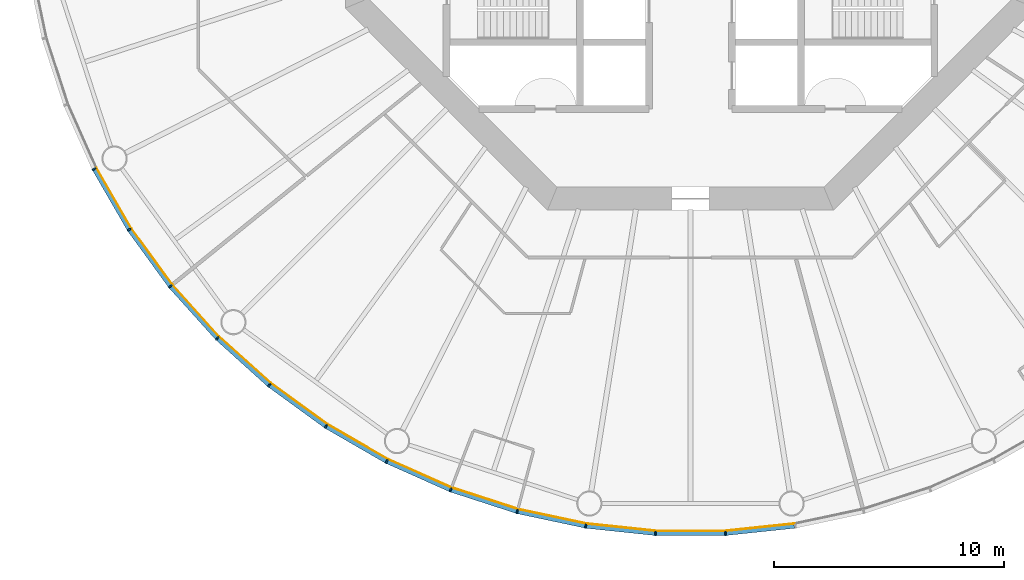
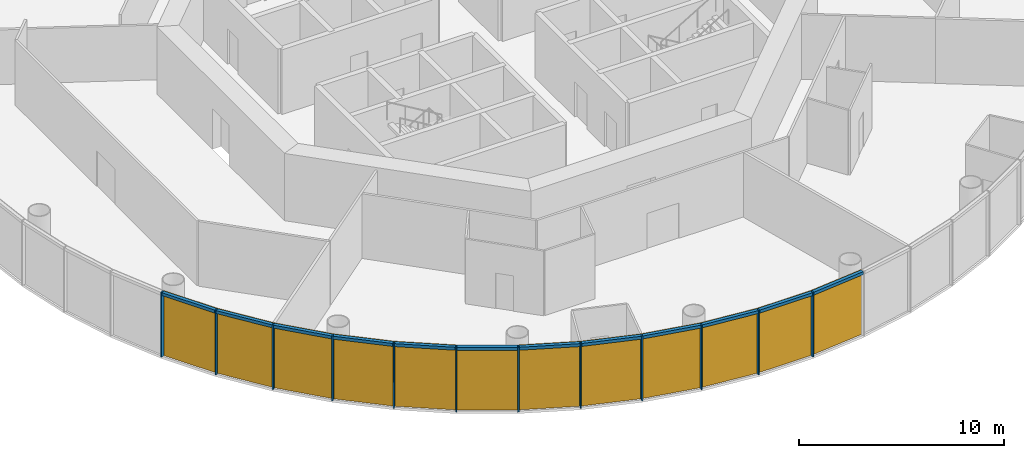
# One storey, part 7 of 13: 24 members, 4 curtain walls.
"""IFC4 building model written with IfcOpenShell, lengths in metres."""

from ifc_helpers import new_model, si_unit, direction, frame, origin, origin_2d, place, context, subcontext, project, spatial, polyline, rectangle, outline, extrude, material, layer, layer_set, material_profile, profile_set, type_object, element, aggregate, save


model = new_model("IFC4")

# Units and contexts
model_context = context("Model", 3, precision=1e-05, world=origin(), true_north=direction((0.0, 1.0)))
body_context = subcontext(model_context, "Body", "Model", "MODEL_VIEW")
ifc_project = project(units=[si_unit("LENGTHUNIT", "METRE"), si_unit("AREAUNIT", "SQUARE_METRE"), si_unit("VOLUMEUNIT", "CUBIC_METRE"), si_unit("PLANEANGLEUNIT", "RADIAN"), si_unit("MASSUNIT", "GRAM", prefix="KILO")], contexts=[model_context])

# Member
ifc_material_1 = material(Name="Anodised aluminium", Category="aluminium")
ifc_material_profile_1 = material_profile(ifc_material_1, rectangle(XDim=0.06494140625, YDim=0.18505859375, at=origin_2d()), Name="Mullion 65 x 185 mm anodised aluminium")
ifc_profile_set_1 = profile_set([ifc_material_profile_1], Name="Anodised aluminium")
member_type_1 = type_object("IfcMemberType", Name="Mullion 65 x 185 mm anodised aluminium", PredefinedType="MULLION", material=ifc_profile_set_1)
site_placement = place(None, origin())
building_placement = place(site_placement, origin())
storey_placement = place(building_placement, frame((0.0, 0.0, 172.0)))
member_1_placement = place(storey_placement, frame((64.078369140625, 66.792236328125, 0.0), z_axis=(0.0, 0.0, 1.0), x_axis=(0.45399049974, -0.891006524188, 0.0)))
member_1 = element("IfcMember", 1, at=member_1_placement, type_object=member_type_1, Name="MULLION L39-33", PredefinedType="MULLION", context=body_context, shape_type="SweptSolid", body=[
    extrude(rectangle(XDim=0.06494140625, YDim=0.18505859375, at=origin_2d()), origin(), (0.0, 0.0, 1.0), 3.85009765625),
])

member_2_placement = place(storey_placement, frame((65.60107421875, 64.155029296875, 0.0), z_axis=(0.0, 0.0, 1.0), x_axis=(0.544639035015, -0.838670567945, 0.0)))
member_2 = element("IfcMember", 2, at=member_2_placement, type_object=member_type_1, Name="MULLION L39-34", PredefinedType="MULLION", context=body_context, shape_type="SweptSolid", body=[
    extrude(rectangle(XDim=0.06494140625, YDim=0.18505859375, at=origin_2d()), origin(), (0.0, 0.0, 1.0), 3.85009765625),
])

member_3_placement = place(storey_placement, frame((67.390869140625, 61.69140625, 0.0), z_axis=(0.0, 0.0, 1.0), x_axis=(0.62932039105, -0.777145961457, 0.0)))
member_3 = element("IfcMember", 3, at=member_3_placement, type_object=member_type_1, Name="MULLION L39-35", PredefinedType="MULLION", context=body_context, shape_type="SweptSolid", body=[
    extrude(rectangle(XDim=0.06494140625, YDim=0.18505859375, at=origin_2d()), origin(), (0.0, 0.0, 1.0), 3.85009765625),
])

member_4_placement = place(storey_placement, frame((69.428466796875, 59.428466796875, 0.0), z_axis=(0.0, 0.0, 1.0), x_axis=(0.707106781187, -0.707106781187, 0.0)))
member_4 = element("IfcMember", 4, at=member_4_placement, type_object=member_type_1, Name="MULLION L39-36", PredefinedType="MULLION", context=body_context, shape_type="SweptSolid", body=[
    extrude(rectangle(XDim=0.06494140625, YDim=0.18505859375, at=origin_2d()), origin(), (0.0, 0.0, 1.0), 3.85009765625),
])

member_5_placement = place(storey_placement, frame((71.69140625, 57.390869140625, 0.0), z_axis=(0.0, 0.0, 1.0), x_axis=(0.777145961457, -0.62932039105, 0.0)))
member_5 = element("IfcMember", 5, at=member_5_placement, type_object=member_type_1, Name="MULLION L39-37", PredefinedType="MULLION", context=body_context, shape_type="SweptSolid", body=[
    extrude(rectangle(XDim=0.06494140625, YDim=0.18505859375, at=origin_2d()), origin(), (0.0, 0.0, 1.0), 3.85009765625),
])

member_6_placement = place(storey_placement, frame((74.155029296875, 55.60107421875, 0.0), z_axis=(0.0, 0.0, 1.0), x_axis=(0.838670567945, -0.544639035015, 0.0)))
member_6 = element("IfcMember", 6, at=member_6_placement, type_object=member_type_1, Name="MULLION L39-38", PredefinedType="MULLION", context=body_context, shape_type="SweptSolid", body=[
    extrude(rectangle(XDim=0.06494140625, YDim=0.18505859375, at=origin_2d()), origin(), (0.0, 0.0, 1.0), 3.85009765625),
])

member_7_placement = place(storey_placement, frame((76.792236328125, 54.078369140625, 0.0), z_axis=(0.0, 0.0, 1.0), x_axis=(0.891006524188, -0.45399049974, 0.0)))
member_7 = element("IfcMember", 7, at=member_7_placement, type_object=member_type_1, Name="MULLION L39-39", PredefinedType="MULLION", context=body_context, shape_type="SweptSolid", body=[
    extrude(rectangle(XDim=0.06494140625, YDim=0.18505859375, at=origin_2d()), origin(), (0.0, 0.0, 1.0), 3.85009765625),
])

member_8_placement = place(storey_placement, frame((79.57421875, 52.83984375, 0.0), z_axis=(0.0, 0.0, 1.0), x_axis=(0.933580426497, -0.358367949545, 0.0)))
member_8 = element("IfcMember", 8, at=member_8_placement, type_object=member_type_1, Name="MULLION L39-40", PredefinedType="MULLION", context=body_context, shape_type="SweptSolid", body=[
    extrude(rectangle(XDim=0.06494140625, YDim=0.18505859375, at=origin_2d()), origin(), (0.0, 0.0, 1.0), 3.85009765625),
])

member_9_placement = place(storey_placement, frame((82.47021484375, 51.898681640625, 0.0), z_axis=(0.0, 0.0, 1.0), x_axis=(0.965925826289, -0.258819045103, 0.0)))
member_9 = element("IfcMember", 9, at=member_9_placement, type_object=member_type_1, Name="MULLION L39-41", PredefinedType="MULLION", context=body_context, shape_type="SweptSolid", body=[
    extrude(rectangle(XDim=0.06494140625, YDim=0.18505859375, at=origin_2d()), origin(), (0.0, 0.0, 1.0), 3.85009765625),
])

member_10_placement = place(storey_placement, frame((85.448974609375, 51.265625, 0.0), z_axis=(0.0, 0.0, 1.0), x_axis=(0.987688340595, -0.15643446504, 0.0)))
member_10 = element("IfcMember", 10, at=member_10_placement, type_object=member_type_1, Name="MULLION L39-42", PredefinedType="MULLION", context=body_context, shape_type="SweptSolid", body=[
    extrude(rectangle(XDim=0.06494140625, YDim=0.18505859375, at=origin_2d()), origin(), (0.0, 0.0, 1.0), 3.85009765625),
])

member_11_placement = place(storey_placement, frame((88.477294921875, 50.947265625, 0.0), z_axis=(0.0, 0.0, 1.0), x_axis=(0.998629534755, -0.052335956243, 0.0)))
member_11 = element("IfcMember", 11, at=member_11_placement, type_object=member_type_1, Name="MULLION L39-43", PredefinedType="MULLION", context=body_context, shape_type="SweptSolid", body=[
    extrude(rectangle(XDim=0.06494140625, YDim=0.18505859375, at=origin_2d()), origin(), (0.0, 0.0, 1.0), 3.85009765625),
])

member_12_placement = place(storey_placement, frame((91.522705078125, 50.947265625, 0.0), z_axis=(0.0, 0.0, 1.0), x_axis=(0.998629534755, 0.052335956243, 0.0)))
member_12 = element("IfcMember", 12, at=member_12_placement, type_object=member_type_1, Name="MULLION L39-44", PredefinedType="MULLION", context=body_context, shape_type="SweptSolid", body=[
    extrude(rectangle(XDim=0.06494140625, YDim=0.18505859375, at=origin_2d()), origin(), (0.0, 0.0, 1.0), 3.85009765625),
])

ifc_material_2 = material(Name="Anodised aluminium", Category="aluminium")
ifc_material_profile_2 = material_profile(ifc_material_2, rectangle(XDim=0.18505859375, YDim=0.175048828125, at=origin_2d()), Name="Transom 175 x 185 mm anodised aluminium")
ifc_profile_set_2 = profile_set([ifc_material_profile_2], Name="Anodised aluminium")
member_type_2 = type_object("IfcMemberType", Name="Transom 175 x 185 mm anodised aluminium", PredefinedType="USERDEFINED", material=ifc_profile_set_2)
member_13_placement = place(storey_placement, frame((64.096923828125, 66.759765625, 3.762451171875), z_axis=(0.500028367561, -0.866009025146, 0.0), x_axis=(0.866009025146, 0.500028367561, 0.0)))
member_13 = element("IfcMember", 13, at=member_13_placement, type_object=member_type_2, Name="TRANSOM L39-33", ObjectType="TRANSOM", PredefinedType="USERDEFINED", context=body_context, shape_type="SweptSolid", body=[
    extrude(rectangle(XDim=0.18505859375, YDim=0.175048828125, at=origin_2d()), origin(), (0.0, 0.0, 1.0), 2.970458984375),
])

member_14_placement = place(storey_placement, frame((65.622802734375, 64.124755859375, 3.762451171875), z_axis=(0.587819781808, -0.808991906087, 0.0), x_axis=(0.808991906087, 0.587819781808, 0.0)))
member_14 = element("IfcMember", 14, at=member_14_placement, type_object=member_type_2, Name="TRANSOM L39-34", ObjectType="TRANSOM", PredefinedType="USERDEFINED", context=body_context, shape_type="SweptSolid", body=[
    extrude(rectangle(XDim=0.18505859375, YDim=0.175048828125, at=origin_2d()), origin(), (0.0, 0.0, 1.0), 2.970458984375),
])

member_15_placement = place(storey_placement, frame((67.415771484375, 61.66357421875, 3.762451171875), z_axis=(0.669110027395, -0.743163354343, 0.0), x_axis=(0.743163354343, 0.669110027395, 0.0)))
member_15 = element("IfcMember", 15, at=member_15_placement, type_object=member_type_2, Name="TRANSOM L39-35", ObjectType="TRANSOM", PredefinedType="USERDEFINED", context=body_context, shape_type="SweptSolid", body=[
    extrude(rectangle(XDim=0.18505859375, YDim=0.175048828125, at=origin_2d()), origin(), (0.0, 0.0, 1.0), 2.970458984375),
])

member_16_placement = place(storey_placement, frame((69.4560546875, 59.4033203125, 3.762451171875), z_axis=(0.743163354343, -0.669110027395, 0.0), x_axis=(0.669110027395, 0.743163354343, 0.0)))
member_16 = element("IfcMember", 16, at=member_16_placement, type_object=member_type_2, Name="TRANSOM L39-36", ObjectType="TRANSOM", PredefinedType="USERDEFINED", context=body_context, shape_type="SweptSolid", body=[
    extrude(rectangle(XDim=0.18505859375, YDim=0.175048828125, at=origin_2d()), origin(), (0.0, 0.0, 1.0), 2.970458984375),
])

member_17_placement = place(storey_placement, frame((71.7216796875, 57.368896484375, 3.762451171875), z_axis=(0.808991906087, -0.587819781808, 0.0), x_axis=(0.587819781808, 0.808991906087, 0.0)))
member_17 = element("IfcMember", 17, at=member_17_placement, type_object=member_type_2, Name="TRANSOM L39-37", ObjectType="TRANSOM", PredefinedType="USERDEFINED", context=body_context, shape_type="SweptSolid", body=[
    extrude(rectangle(XDim=0.18505859375, YDim=0.175048828125, at=origin_2d()), origin(), (0.0, 0.0, 1.0), 2.970458984375),
])

member_18_placement = place(storey_placement, frame((74.187255859375, 55.582275390625, 3.762451171875), z_axis=(0.866009025146, -0.500028367561, 0.0), x_axis=(0.500028367561, 0.866009025146, 0.0)))
member_18 = element("IfcMember", 18, at=member_18_placement, type_object=member_type_2, Name="TRANSOM L39-38", ObjectType="TRANSOM", PredefinedType="USERDEFINED", context=body_context, shape_type="SweptSolid", body=[
    extrude(rectangle(XDim=0.18505859375, YDim=0.175048828125, at=origin_2d()), origin(), (0.0, 0.0, 1.0), 2.970458984375),
])

member_19_placement = place(storey_placement, frame((76.826416015625, 54.06298828125, 3.762451171875), z_axis=(0.913567348806, -0.406687471156, 0.0), x_axis=(0.406687471156, 0.913567348806, 0.0)))
member_19 = element("IfcMember", 19, at=member_19_placement, type_object=member_type_2, Name="TRANSOM L39-39", ObjectType="TRANSOM", PredefinedType="USERDEFINED", context=body_context, shape_type="SweptSolid", body=[
    extrude(rectangle(XDim=0.18505859375, YDim=0.175048828125, at=origin_2d()), origin(), (0.0, 0.0, 1.0), 2.970458984375),
])

member_20_placement = place(storey_placement, frame((79.609619140625, 52.828125, 3.762451171875), z_axis=(0.951055809184, -0.30901917063, 0.0), x_axis=(0.30901917063, 0.951055809184, 0.0)))
member_20 = element("IfcMember", 20, at=member_20_placement, type_object=member_type_2, Name="TRANSOM L39-40", ObjectType="TRANSOM", PredefinedType="USERDEFINED", context=body_context, shape_type="SweptSolid", body=[
    extrude(rectangle(XDim=0.18505859375, YDim=0.175048828125, at=origin_2d()), origin(), (0.0, 0.0, 1.0), 2.970703125),
])

member_21_placement = place(storey_placement, frame((82.5068359375, 51.890869140625, 3.762451171875), z_axis=(0.97815822425, -0.207861704825, 0.0), x_axis=(0.207861704825, 0.97815822425, 0.0)))
member_21 = element("IfcMember", 21, at=member_21_placement, type_object=member_type_2, Name="TRANSOM L39-41", ObjectType="TRANSOM", PredefinedType="USERDEFINED", context=body_context, shape_type="SweptSolid", body=[
    extrude(rectangle(XDim=0.18505859375, YDim=0.175048828125, at=origin_2d()), origin(), (0.0, 0.0, 1.0), 2.970458984375),
])

member_22_placement = place(storey_placement, frame((85.486083984375, 51.26171875, 3.762451171875), z_axis=(0.994519855197, -0.104547872381, 0.0), x_axis=(0.104547872381, 0.994519855197, 0.0)))
member_22 = element("IfcMember", 22, at=member_22_placement, type_object=member_type_2, Name="TRANSOM L39-42", ObjectType="TRANSOM", PredefinedType="USERDEFINED", context=body_context, shape_type="SweptSolid", body=[
    extrude(rectangle(XDim=0.18505859375, YDim=0.175048828125, at=origin_2d()), origin(), (0.0, 0.0, 1.0), 2.970458984375),
])

member_23_placement = place(storey_placement, frame((88.5146484375, 50.947265625, 3.762451171875), z_axis=(1.0, 0.0, 0.0), x_axis=(0.0, 1.0, 0.0)))
member_23 = element("IfcMember", 23, at=member_23_placement, type_object=member_type_2, Name="TRANSOM L39-43", ObjectType="TRANSOM", PredefinedType="USERDEFINED", context=body_context, shape_type="SweptSolid", body=[
    extrude(rectangle(XDim=0.18505859375, YDim=0.175048828125, at=origin_2d()), origin(), (0.0, 0.0, 1.0), 2.970703125),
])

member_24_placement = place(storey_placement, frame((91.559814453125, 50.951171875, 3.762451171875), z_axis=(0.994519855197, 0.104547872381, 0.0), x_axis=(-0.104547872381, 0.994519855197, 0.0)))
member_24 = element("IfcMember", 24, at=member_24_placement, type_object=member_type_2, Name="TRANSOM L39-44", ObjectType="TRANSOM", PredefinedType="USERDEFINED", context=body_context, shape_type="SweptSolid", body=[
    extrude(rectangle(XDim=0.18505859375, YDim=0.175048828125, at=origin_2d()), origin(), (0.0, 0.0, 1.0), 2.970458984375),
])

# Site, building, storey
site = spatial("IfcSite", under=ifc_project, at=site_placement, CompositionType="ELEMENT")
building = spatial("IfcBuilding", under=site, at=building_placement, Name="Entoto Ring Tower", CompositionType="ELEMENT")
storey = spatial("IfcBuildingStorey", under=building, at=storey_placement, Name="L39", CompositionType="ELEMENT", Elevation=172.0)

# Curtain wall
ifc_material_3 = material(Name="Clear low-iron glass", Category="glass")
ifc_layer = layer(ifc_material_3, 0.033935546875)
ifc_layer_set = layer_set([ifc_layer], Name="Clear low-iron glass")
curtain_wall_type = type_object("IfcCurtainWallType", Name="Curtain wall system CW3 glazing 34 mm", PredefinedType="NOTDEFINED", material=ifc_layer_set)
curtain_wall_1_placement = place(storey_placement, origin())
curtain_wall_1 = element("IfcCurtainWall", 25, at=curtain_wall_1_placement, inside=storey, type_object=curtain_wall_type, Name="CW3 L39-12", PredefinedType="NOTDEFINED", context=body_context, shape_type="SweptSolid", body=[
    extrude(outline(polyline([(64.160888671875, 66.834228515625), (65.678466796875, 64.20556640625), (67.462646484375, 61.749755859375), (69.493896484375, 59.493896484375), (69.51806640625, 59.51806640625), (67.4892578125, 61.771240234375), (65.70703125, 64.22412109375), (64.191162109375, 66.849853515625), (64.160888671875, 66.834228515625)])), origin(), (0.0, 0.0, 1.0), 3.85009765625),
])

aggregate(curtain_wall_1, [member_1, member_2, member_3, member_13, member_14, member_15])

curtain_wall_2_placement = place(storey_placement, origin())
curtain_wall_2 = element("IfcCurtainWall", 26, at=curtain_wall_2_placement, inside=storey, type_object=curtain_wall_type, Name="CW3 L39-13", PredefinedType="NOTDEFINED", context=body_context, shape_type="SweptSolid", body=[
    extrude(outline(polyline([(69.493896484375, 59.493896484375), (71.749755859375, 57.462646484375), (74.20556640625, 55.678466796875), (76.834228515625, 54.160888671875), (76.849853515625, 54.191162109375), (74.22412109375, 55.70703125), (71.771240234375, 57.4892578125), (69.51806640625, 59.51806640625), (69.493896484375, 59.493896484375)])), origin(), (0.0, 0.0, 1.0), 3.85009765625),
])

aggregate(curtain_wall_2, [member_4, member_5, member_6, member_16, member_17, member_18])

curtain_wall_3_placement = place(storey_placement, origin())
curtain_wall_3 = element("IfcCurtainWall", 27, at=curtain_wall_3_placement, inside=storey, type_object=curtain_wall_type, Name="CW3 L39-14", PredefinedType="NOTDEFINED", context=body_context, shape_type="SweptSolid", body=[
    extrude(outline(polyline([(76.834228515625, 54.160888671875), (79.607421875, 52.92626953125), (82.494140625, 51.988037109375), (85.46337890625, 51.35693359375), (85.46875, 51.390625), (82.503173828125, 52.02099609375), (79.61962890625, 52.9580078125), (76.849853515625, 54.191162109375), (76.834228515625, 54.160888671875)])), origin(), (0.0, 0.0, 1.0), 3.85009765625),
])

aggregate(curtain_wall_3, [member_7, member_8, member_9, member_19, member_20, member_21])

curtain_wall_4_placement = place(storey_placement, origin())
curtain_wall_4 = element("IfcCurtainWall", 28, at=curtain_wall_4_placement, inside=storey, type_object=curtain_wall_type, Name="CW3 L39-15", PredefinedType="NOTDEFINED", context=body_context, shape_type="SweptSolid", body=[
    extrude(outline(polyline([(85.46337890625, 51.35693359375), (88.482177734375, 51.039794921875), (91.517822265625, 51.039794921875), (94.53662109375, 51.35693359375), (94.53125, 51.390625), (91.515869140625, 51.07373046875), (88.484130859375, 51.07373046875), (85.46875, 51.390625), (85.46337890625, 51.35693359375)])), origin(), (0.0, 0.0, 1.0), 3.85009765625),
])

aggregate(curtain_wall_4, [member_10, member_11, member_12, member_22, member_23, member_24])

save(model, "model.ifc")
